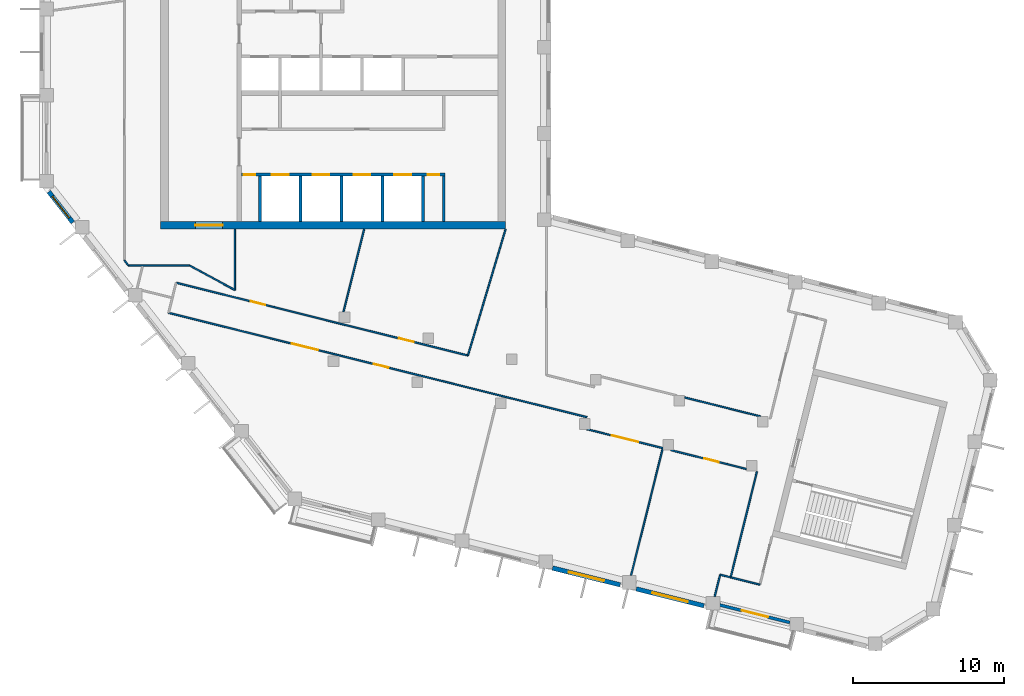
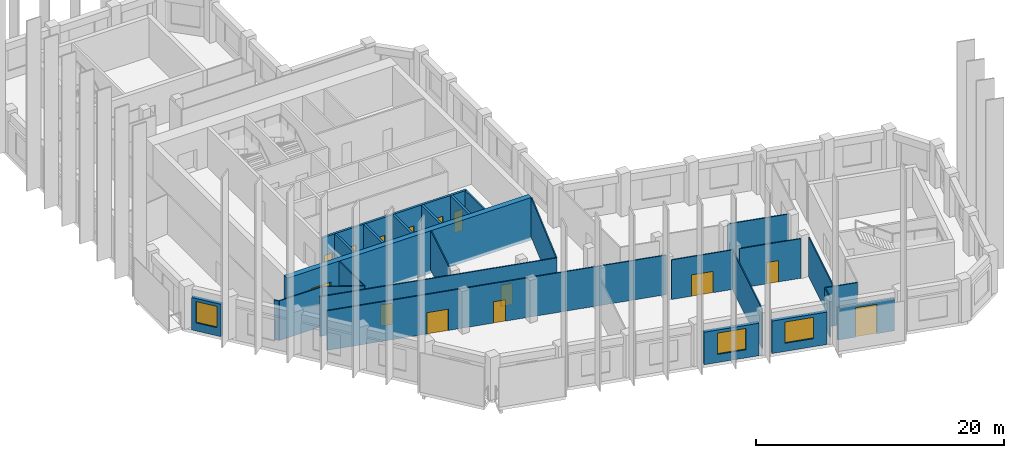
# One storey, part 3 of 8: 28 walls, 14 doors, 3 windows, 17 openings.
"""IFC4 building model written with IfcOpenShell, lengths in metres."""

from ifc_helpers import new_model, si_unit, direction, frame, frame_2d, origin, place, context, subcontext, project, spatial, rectangle, extrude, material, layer, layer_set, type_object, element, fill, save


model = new_model("IFC4")

# Units and contexts
model_context = context("Model", 3, precision=1e-05, world=origin(), true_north=direction((0.0, 1.0)))
body_context = subcontext(model_context, "Body", "Model", "MODEL_VIEW")
ifc_project = project(units=[si_unit("LENGTHUNIT", "METRE"), si_unit("AREAUNIT", "SQUARE_METRE"), si_unit("VOLUMEUNIT", "CUBIC_METRE"), si_unit("PLANEANGLEUNIT", "RADIAN"), si_unit("MASSUNIT", "GRAM", prefix="KILO")], contexts=[model_context])

# Site, building, storey
site_placement = place(None, origin())
site = spatial("IfcSite", under=ifc_project, at=site_placement, CompositionType="ELEMENT")
building_placement = place(site_placement, origin())
building = spatial("IfcBuilding", under=site, at=building_placement, Name="Meshkara Civic Tower", CompositionType="ELEMENT")
storey_placement = place(building_placement, frame((0.0, 0.0, 354.0)))
storey = spatial("IfcBuildingStorey", under=building, at=storey_placement, Name="L81", CompositionType="ELEMENT", Elevation=354.0)

# Wall
ifc_material_1 = material(Name="Blockwork", Category="masonry")
ifc_layer_1 = layer(ifc_material_1, 0.14990234375)
ifc_layer_set_1 = layer_set([ifc_layer_1], Name="Core partition 150")
wall_type_1 = type_object("IfcWallType", Name="Core partition 150", PredefinedType="PARTITIONING", material=ifc_layer_set_1)
wall_1_placement = place(storey_placement, frame((26.699951171875, 14.60009765625, 0.0), z_axis=(0.0, 0.0, 1.0), x_axis=(0.0, 1.0, 0.0)))
element("IfcWall", 1, at=wall_1_placement, inside=storey, type_object=wall_type_1, Name="L81-C025", PredefinedType="PARTITIONING", context=body_context, shape_type="SweptSolid", body=[
    extrude(rectangle(XDim=3.0, YDim=0.14990234375, at=frame_2d((1.5, 0.0))), origin(), (0.0, 0.0, 1.0), 3.89990234375),
])

# Wall, opening, door
ifc_material_2 = material(Name="Concrete C50", Category="concrete")
ifc_layer_2 = layer(ifc_material_2, 0.5)
ifc_layer_set_2 = layer_set([ifc_layer_2], Name="Core ring wall 500 C50")
wall_type_2 = type_object("IfcWallType", Name="Core ring wall 500 C50", PredefinedType="SHEAR", material=ifc_layer_set_2)
wall_2_placement = place(storey_placement, frame((8.0, 14.35009765625, -0.300048828125), z_axis=(0.0, 0.0, 1.0), x_axis=(1.0, 0.0, 0.0)))
wall_2 = element("IfcWall", 2, at=wall_2_placement, inside=storey, type_object=wall_type_2, Name="L81-C001", PredefinedType="SHEAR", context=body_context, shape_type="SweptSolid", body=[
    extrude(rectangle(XDim=22.800048828125, YDim=0.5, at=frame_2d((11.39990234375, 0.0))), origin(), (0.0, 0.0, 1.0), 4.199951171875),
])
opening_1_placement = place(wall_2_placement, frame((2.300048828125, 0.0, 0.300048828125)))
opening_1 = element("IfcOpeningElement", 3, at=opening_1_placement, cuts=wall_2, Name="Opening L81-K023", PredefinedType="OPENING", context=body_context, shape_type="SweptSolid", body=[
    extrude(rectangle(XDim=1.800048828125, YDim=2.10009765625, at=frame_2d((0.89990234375, 1.050048828125))), frame((0.0, 0.260009765625, 0.0), z_axis=(0.0, -1.0, 0.0), x_axis=(1.0, 0.0, 0.0)), (0.0, 0.0, 1.0), 0.52001953125),
])
ifc_material_3 = material(Name="Fire-rated door leaf in steel frame", Category="steel")
door_type_1 = type_object("IfcDoorType", Name="Core double door 1800 EI 60", OperationType="DOUBLE_DOOR_SINGLE_SWING", PredefinedType="DOOR", material=ifc_material_3)
door_1_placement = place(opening_1_placement, origin())
door_1 = element("IfcDoor", 4, at=door_1_placement, inside=storey, type_object=door_type_1, Name="L81-K023", OperationType="DOUBLE_DOOR_SINGLE_SWING", OverallHeight=2.10009765625, OverallWidth=1.800048828125, PredefinedType="DOOR", context=body_context, shape_type="SweptSolid", body=[
    extrude(rectangle(XDim=1.800048828125, YDim=2.10009765625, at=frame_2d((0.89990234375, 1.050048828125))), frame((0.0, 0.02490234375, 0.0), z_axis=(0.0, -1.0, 0.0), x_axis=(1.0, 0.0, 0.0)), (0.0, 0.0, 1.0), 0.050048828125),
])
fill(opening_1, door_1)

# Walls
ifc_material_4 = material(Name="Corridor wall 100")
ifc_layer_3 = layer(ifc_material_4, 0.10009765625)
ifc_layer_set_3 = layer_set([ifc_layer_3], Name="Corridor wall 100")
wall_type_3 = type_object("IfcWallType", Name="Corridor wall 100", PredefinedType="PARTITIONING", material=ifc_layer_set_3)
wall_3_placement = place(storey_placement, frame((5.60009765625, 12.0439453125, 0.0), z_axis=(0.0, 0.0, 1.0), x_axis=(0.614328236968, -0.789050579661, 0.0)))
element("IfcWall", 5, at=wall_3_placement, inside=storey, type_object=wall_type_3, Name="L81-W003", PredefinedType="PARTITIONING", context=body_context, shape_type="SweptSolid", body=[
    extrude(rectangle(XDim=0.43603515625, YDim=0.10009765625, at=frame_2d((0.218017578125, 0.0))), origin(), (0.0, 0.0, 1.0), 3.89990234375),
])
wall_4_placement = place(storey_placement, frame((5.867919921875, 11.699951171875, 0.0), z_axis=(0.0, 0.0, 1.0), x_axis=(1.0, 0.0, 0.0)))
element("IfcWall", 6, at=wall_4_placement, inside=storey, type_object=wall_type_3, Name="L81-W006", PredefinedType="PARTITIONING", context=body_context, shape_type="SweptSolid", body=[
    extrude(rectangle(XDim=4.031982421875, YDim=0.10009765625, at=frame_2d((2.01611328125, 0.0))), origin(), (0.0, 0.0, 1.0), 3.89990234375),
])

# Wall, openings, doors
wall_5_placement = place(storey_placement, frame((8.52099609375, 8.56689453125, 0.0), z_axis=(0.0, 0.0, 1.0), x_axis=(0.970303035129, -0.241892579506, 0.0)))
wall_5 = element("IfcWall", 7, at=wall_5_placement, inside=storey, type_object=wall_type_3, Name="L81-W007", PredefinedType="PARTITIONING", context=body_context, shape_type="SweptSolid", body=[
    extrude(rectangle(XDim=28.49951171875, YDim=0.10009765625, at=frame_2d((14.249755859375, 0.0))), origin(), (0.0, 0.0, 1.0), 3.89990234375),
])
opening_2_placement = place(wall_5_placement, frame((13.97998046875, 0.0, 0.0)))
opening_2 = element("IfcOpeningElement", 8, at=opening_2_placement, cuts=wall_5, Name="Opening L81-D003", PredefinedType="OPENING", context=body_context, shape_type="SweptSolid", body=[
    extrude(rectangle(XDim=1.0, YDim=2.10009765625, at=frame_2d((0.5, 1.050048828125))), frame((0.0, 0.06005859375, 0.0), z_axis=(0.0, -1.0, 0.0), x_axis=(1.0, 0.0, 0.0)), (0.0, 0.0, 1.0), 0.1201171875),
])
opening_3_placement = place(wall_5_placement, frame((8.3798828125, 0.0, 0.0)))
opening_3 = element("IfcOpeningElement", 9, at=opening_3_placement, cuts=wall_5, Name="Opening L81-D007", PredefinedType="OPENING", context=body_context, shape_type="SweptSolid", body=[
    extrude(rectangle(XDim=1.800048828125, YDim=2.10009765625, at=frame_2d((0.89990234375, 1.050048828125))), frame((0.0, 0.06005859375, 0.0), z_axis=(0.0, -1.0, 0.0), x_axis=(1.0, 0.0, 0.0)), (0.0, 0.0, 1.0), 0.1201171875),
])
ifc_material_5 = material(Name="Door 1000 x 2100")
door_type_2 = type_object("IfcDoorType", Name="Door 1000 x 2100", OperationType="SINGLE_SWING_LEFT", PredefinedType="DOOR", material=ifc_material_5)
door_2_placement = place(opening_2_placement, origin())
door_2 = element("IfcDoor", 10, at=door_2_placement, inside=storey, type_object=door_type_2, Name="L81-D003", OperationType="SINGLE_SWING_LEFT", OverallHeight=2.10009765625, OverallWidth=1.0, PredefinedType="DOOR", context=body_context, shape_type="SweptSolid", body=[
    extrude(rectangle(XDim=1.0, YDim=2.10009765625, at=frame_2d((0.5, 1.050048828125))), frame((0.0, 0.02490234375, 0.0), z_axis=(0.0, -1.0, 0.0), x_axis=(1.0, 0.0, 0.0)), (0.0, 0.0, 1.0), 0.050048828125),
])
fill(opening_2, door_2)
ifc_material_6 = material(Name="Door pair 1800 x 2100")
door_type_3 = type_object("IfcDoorType", Name="Door pair 1800 x 2100", OperationType="SINGLE_SWING_LEFT", PredefinedType="DOOR", material=ifc_material_6)
door_3_placement = place(opening_3_placement, origin())
door_3 = element("IfcDoor", 11, at=door_3_placement, inside=storey, type_object=door_type_3, Name="L81-D007", OperationType="DOUBLE_DOOR_SINGLE_SWING", OverallHeight=2.10009765625, OverallWidth=1.800048828125, PredefinedType="DOOR", context=body_context, shape_type="SweptSolid", body=[
    extrude(rectangle(XDim=1.800048828125, YDim=2.10009765625, at=frame_2d((0.89990234375, 1.050048828125))), frame((0.0, 0.02490234375, 0.0), z_axis=(0.0, -1.0, 0.0), x_axis=(1.0, 0.0, 0.0)), (0.0, 0.0, 1.0), 0.050048828125),
])
fill(opening_3, door_3)

wall_6_placement = place(storey_placement, frame((9.01708984375, 10.55810546875, 0.0), z_axis=(0.0, 0.0, 1.0), x_axis=(0.970286089829, -0.241960542, 0.0)))
wall_6 = element("IfcWall", 12, at=wall_6_placement, inside=storey, type_object=wall_type_3, Name="L81-W008", PredefinedType="PARTITIONING", context=body_context, shape_type="SweptSolid", body=[
    extrude(rectangle(XDim=19.87939453125, YDim=0.10009765625, at=frame_2d((9.939697265625, 0.0))), origin(), (0.0, 0.0, 1.0), 3.89990234375),
])
opening_4_placement = place(wall_6_placement, frame((5.080078125, 0.0, 0.0)))
opening_4 = element("IfcOpeningElement", 13, at=opening_4_placement, cuts=wall_6, Name="Opening L81-D006", PredefinedType="OPENING", context=body_context, shape_type="SweptSolid", body=[
    extrude(rectangle(XDim=1.0, YDim=2.10009765625, at=frame_2d((0.5, 1.050048828125))), frame((0.0, 0.06005859375, 0.0), z_axis=(0.0, -1.0, 0.0), x_axis=(1.0, 0.0, 0.0)), (0.0, 0.0, 1.0), 0.1201171875),
])
opening_5_placement = place(wall_6_placement, frame((15.18408203125, 0.0, 0.0)))
opening_5 = element("IfcOpeningElement", 14, at=opening_5_placement, cuts=wall_6, Name="Opening L81-D008", PredefinedType="OPENING", context=body_context, shape_type="SweptSolid", body=[
    extrude(rectangle(XDim=1.0, YDim=2.10009765625, at=frame_2d((0.5, 1.050048828125))), frame((0.0, 0.06005859375, 0.0), z_axis=(0.0, -1.0, 0.0), x_axis=(1.0, 0.0, 0.0)), (0.0, 0.0, 1.0), 0.1201171875),
])
door_4_placement = place(opening_4_placement, origin())
door_4 = element("IfcDoor", 15, at=door_4_placement, inside=storey, type_object=door_type_2, Name="L81-D006", OperationType="SINGLE_SWING_LEFT", OverallHeight=2.10009765625, OverallWidth=1.0, PredefinedType="DOOR", context=body_context, shape_type="SweptSolid", body=[
    extrude(rectangle(XDim=1.0, YDim=2.10009765625, at=frame_2d((0.5, 1.050048828125))), frame((0.0, 0.02490234375, 0.0), z_axis=(0.0, -1.0, 0.0), x_axis=(1.0, 0.0, 0.0)), (0.0, 0.0, 1.0), 0.050048828125),
])
fill(opening_4, door_4)
door_5_placement = place(opening_5_placement, origin())
door_5 = element("IfcDoor", 16, at=door_5_placement, inside=storey, type_object=door_type_2, Name="L81-D008", OperationType="SINGLE_SWING_RIGHT", OverallHeight=2.10009765625, OverallWidth=1.0, PredefinedType="DOOR", context=body_context, shape_type="SweptSolid", body=[
    extrude(rectangle(XDim=1.0, YDim=2.10009765625, at=frame_2d((0.5, 1.050048828125))), frame((0.0, 0.02490234375, 0.0), z_axis=(0.0, -1.0, 0.0), x_axis=(1.0, 0.0, 0.0)), (0.0, 0.0, 1.0), 0.050048828125),
])
fill(opening_5, door_5)

# Walls
wall_7_placement = place(storey_placement, frame((9.89990234375, 11.699951171875, 0.0), z_axis=(0.0, 0.0, 1.0), x_axis=(0.87965147249, -0.475618846291, 0.0)))
element("IfcWall", 17, at=wall_7_placement, inside=storey, type_object=wall_type_3, Name="L81-W010", PredefinedType="PARTITIONING", context=body_context, shape_type="SweptSolid", body=[
    extrude(rectangle(XDim=3.410400390625, YDim=0.10009765625, at=frame_2d((1.705078125, 0.0))), origin(), (0.0, 0.0, 1.0), 3.89990234375),
])
wall_8_placement = place(storey_placement, frame((12.89990234375, 10.077880859375, 0.0), z_axis=(0.0, 0.0, 1.0), x_axis=(0.0, 1.0, 0.0)))
element("IfcWall", 18, at=wall_8_placement, inside=storey, type_object=wall_type_3, Name="L81-W015", PredefinedType="PARTITIONING", context=body_context, shape_type="SweptSolid", body=[
    extrude(rectangle(XDim=4.022216796875, YDim=0.10009765625, at=frame_2d((2.01123046875, 0.0))), origin(), (0.0, 0.0, 1.0), 3.89990234375),
])
wall_9_placement = place(storey_placement, frame((30.800048828125, 14.10009765625, 0.0), z_axis=(0.0, 0.0, 1.0), x_axis=(-0.286139929679, -0.958187842045, 0.0)))
element("IfcWall", 19, at=wall_9_placement, inside=storey, type_object=wall_type_3, Name="L81-W018", PredefinedType="PARTITIONING", context=body_context, shape_type="SweptSolid", body=[
    extrude(rectangle(XDim=8.716552734375, YDim=0.10009765625, at=frame_2d((4.3583984375, 0.0))), origin(), (0.0, 0.0, 1.0), 3.89990234375),
])

# Wall, opening, door
wall_10_placement = place(storey_placement, frame((36.179931640625, 0.873046875, 0.0), z_axis=(0.0, 0.0, 1.0), x_axis=(0.970323094186, -0.241812102446, 0.0)))
wall_10 = element("IfcWall", 20, at=wall_10_placement, inside=storey, type_object=wall_type_3, Name="L81-W021", PredefinedType="PARTITIONING", context=body_context, shape_type="SweptSolid", body=[
    extrude(rectangle(XDim=5.1611328125, YDim=0.10009765625, at=frame_2d((2.58056640625, 0.0))), origin(), (0.0, 0.0, 1.0), 3.89990234375),
])
opening_6_placement = place(wall_10_placement, frame((1.679931640625, 0.0, 0.0)))
opening_6 = element("IfcOpeningElement", 21, at=opening_6_placement, cuts=wall_10, Name="Opening L81-D004", PredefinedType="OPENING", context=body_context, shape_type="SweptSolid", body=[
    extrude(rectangle(XDim=1.800048828125, YDim=2.10009765625, at=frame_2d((0.89990234375, 1.050048828125))), frame((0.0, 0.06005859375, 0.0), z_axis=(0.0, -1.0, 0.0), x_axis=(1.0, 0.0, 0.0)), (0.0, 0.0, 1.0), 0.1201171875),
])
door_6_placement = place(opening_6_placement, origin())
door_6 = element("IfcDoor", 22, at=door_6_placement, inside=storey, type_object=door_type_3, Name="L81-D004", OperationType="DOUBLE_DOOR_SINGLE_SWING", OverallHeight=2.10009765625, OverallWidth=1.800048828125, PredefinedType="DOOR", context=body_context, shape_type="SweptSolid", body=[
    extrude(rectangle(XDim=1.800048828125, YDim=2.10009765625, at=frame_2d((0.89990234375, 1.050048828125))), frame((0.0, 0.02490234375, 0.0), z_axis=(0.0, -1.0, 0.0), x_axis=(1.0, 0.0, 0.0)), (0.0, 0.0, 1.0), 0.050048828125),
])
fill(opening_6, door_6)

wall_11_placement = place(storey_placement, frame((41.712890625, -0.506103515625, 0.0), z_axis=(0.0, 0.0, 1.0), x_axis=(0.970303472342, -0.241890825708, 0.0)))
wall_11 = element("IfcWall", 23, at=wall_11_placement, inside=storey, type_object=wall_type_3, Name="L81-W023", PredefinedType="PARTITIONING", context=body_context, shape_type="SweptSolid", body=[
    extrude(rectangle(XDim=5.167724609375, YDim=0.10009765625, at=frame_2d((2.583984375, 0.0))), origin(), (0.0, 0.0, 1.0), 3.89990234375),
])
opening_7_placement = place(wall_11_placement, frame((2.280029296875, 0.0, 0.0)))
opening_7 = element("IfcOpeningElement", 24, at=opening_7_placement, cuts=wall_11, Name="Opening L81-D002", PredefinedType="OPENING", context=body_context, shape_type="SweptSolid", body=[
    extrude(rectangle(XDim=1.0, YDim=2.10009765625, at=frame_2d((0.5, 1.050048828125))), frame((0.0, 0.06005859375, 0.0), z_axis=(0.0, -1.0, 0.0), x_axis=(1.0, 0.0, 0.0)), (0.0, 0.0, 1.0), 0.1201171875),
])
door_7_placement = place(opening_7_placement, origin())
door_7 = element("IfcDoor", 25, at=door_7_placement, inside=storey, type_object=door_type_2, Name="L81-D002", OperationType="SINGLE_SWING_LEFT", OverallHeight=2.10009765625, OverallWidth=1.0, PredefinedType="DOOR", context=body_context, shape_type="SweptSolid", body=[
    extrude(rectangle(XDim=1.0, YDim=2.10009765625, at=frame_2d((0.5, 1.050048828125))), frame((0.0, 0.02490234375, 0.0), z_axis=(0.0, -1.0, 0.0), x_axis=(1.0, 0.0, 0.0)), (0.0, 0.0, 1.0), 0.050048828125),
])
fill(opening_7, door_7)

# Walls
wall_12_placement = place(storey_placement, frame((45.669921875, -8.9130859375, 0.0), z_axis=(0.0, 0.0, 1.0), x_axis=(0.970307382734, -0.241875139301, 0.0)))
element("IfcWall", 26, at=wall_12_placement, inside=storey, type_object=wall_type_3, Name="L81-W025", PredefinedType="PARTITIONING", context=body_context, shape_type="SweptSolid", body=[
    extrude(rectangle(XDim=2.00048828125, YDim=0.10009765625, at=frame_2d((1.000244140625, 0.0))), origin(), (0.0, 0.0, 1.0), 3.89990234375),
])
wall_13_placement = place(storey_placement, frame((47.412109375, -1.927001953125, 0.0), z_axis=(0.0, 0.0, 1.0), x_axis=(-0.241969116819, -0.970283951483, 0.0)))
element("IfcWall", 27, at=wall_13_placement, inside=storey, type_object=wall_type_3, Name="L81-W026", PredefinedType="PARTITIONING", context=body_context, shape_type="SweptSolid", body=[
    extrude(rectangle(XDim=7.199951171875, YDim=0.10009765625, at=frame_2d((3.60009765625, 0.0))), origin(), (0.0, 0.0, 1.0), 3.89990234375),
])
wall_14_placement = place(storey_placement, frame((47.64111328125, 1.72607421875, 0.0), z_axis=(0.0, 0.0, 1.0), x_axis=(-0.97031439286, 0.241847015712, 0.0)))
element("IfcWall", 28, at=wall_14_placement, inside=storey, type_object=wall_type_3, Name="L81-W028", PredefinedType="PARTITIONING", context=body_context, shape_type="SweptSolid", body=[
    extrude(rectangle(XDim=5.172607421875, YDim=0.10009765625, at=frame_2d((2.58642578125, 0.0))), origin(), (0.0, 0.0, 1.0), 3.89990234375),
])

# Wall, opening, window
ifc_material_7 = material(Name="Insulated infill panel with bronze anodised aluminium cladding", Category="aluminium")
ifc_layer_4 = layer(ifc_material_7, 0.300048828125)
ifc_layer_set_4 = layer_set([ifc_layer_4], Name="EXTERNAL INFILL WALL 300")
wall_type_4 = type_object("IfcWallType", Name="EXTERNAL INFILL WALL 300", PredefinedType="SOLIDWALL", material=ifc_layer_set_4)
wall_15_placement = place(storey_placement, frame((0.60205078125, 16.572998046875, 0.0), z_axis=(0.0, 0.0, 1.0), x_axis=(0.61568999437, -0.787988471256, 0.0)))
wall_15 = element("IfcWall", 29, at=wall_15_placement, inside=storey, type_object=wall_type_4, Name="External wall", PredefinedType="SOLIDWALL", context=body_context, shape_type="SweptSolid", body=[
    extrude(rectangle(XDim=2.577392578125, YDim=0.300048828125, at=frame_2d((1.28857421875, 0.0))), origin(), (0.0, 0.0, 1.0), 3.199951171875),
])
opening_8_placement = place(wall_15_placement, frame((0.387939453125, 0.0, 0.800048828125)))
opening_8 = element("IfcOpeningElement", 30, at=opening_8_placement, cuts=wall_15, Name="Opening W9", PredefinedType="OPENING", context=body_context, shape_type="SweptSolid", body=[
    extrude(rectangle(XDim=1.800048828125, YDim=2.10009765625, at=frame_2d((0.89990234375, 1.050048828125))), frame((0.0, 0.159912109375, 0.0), z_axis=(0.0, -1.0, 0.0), x_axis=(1.0, 0.0, 0.0)), (0.0, 0.0, 1.0), 0.320068359375),
])
ifc_material_8 = material(Name="Tinted double glazing", Category="glass")
window_type_1 = type_object("IfcWindowType", Name="WINDOW 1800x2100", PartitioningType="DOUBLE_PANEL_VERTICAL", PredefinedType="WINDOW", material=ifc_material_8)
window_1_placement = place(opening_8_placement, origin())
window_1 = element("IfcWindow", 31, at=window_1_placement, inside=storey, type_object=window_type_1, Name="Window", OverallHeight=2.10009765625, OverallWidth=1.800048828125, PartitioningType="DOUBLE_PANEL_VERTICAL", PredefinedType="WINDOW", context=body_context, shape_type="SweptSolid", body=[
    extrude(rectangle(XDim=1.800048828125, YDim=2.10009765625, at=frame_2d((0.89990234375, 1.050048828125))), frame((0.0, 0.030029296875, 0.0), z_axis=(0.0, -1.0, 0.0), x_axis=(1.0, 0.0, 0.0)), (0.0, 0.0, 1.0), 0.06005859375),
])
fill(opening_8, window_1)

wall_16_placement = place(storey_placement, frame((33.89990234375, -8.298095703125, 0.0), z_axis=(0.0, 0.0, 1.0), x_axis=(0.970298093093, -0.241912402618, 0.0)))
wall_16 = element("IfcWall", 32, at=wall_16_placement, inside=storey, type_object=wall_type_4, Name="External wall", PredefinedType="SOLIDWALL", context=body_context, shape_type="SweptSolid", body=[
    extrude(rectangle(XDim=4.609130859375, YDim=0.300048828125, at=frame_2d((2.3046875, 0.0))), origin(), (0.0, 0.0, 1.0), 3.199951171875),
])
opening_9_placement = place(wall_16_placement, frame((1.10498046875, 0.0, 0.800048828125)))
opening_9 = element("IfcOpeningElement", 33, at=opening_9_placement, cuts=wall_16, Name="Opening W7", PredefinedType="OPENING", context=body_context, shape_type="SweptSolid", body=[
    extrude(rectangle(XDim=2.39990234375, YDim=2.10009765625, at=frame_2d((1.199951171875, 1.050048828125))), frame((0.0, 0.159912109375, 0.0), z_axis=(0.0, -1.0, 0.0), x_axis=(1.0, 0.0, 0.0)), (0.0, 0.0, 1.0), 0.320068359375),
])
ifc_material_9 = material(Name="Tinted double glazing", Category="glass")
window_type_2 = type_object("IfcWindowType", Name="WINDOW 2400x2100", PartitioningType="DOUBLE_PANEL_VERTICAL", PredefinedType="WINDOW", material=ifc_material_9)
window_2_placement = place(opening_9_placement, origin())
window_2 = element("IfcWindow", 34, at=window_2_placement, inside=storey, type_object=window_type_2, Name="Window", OverallHeight=2.10009765625, OverallWidth=2.39990234375, PartitioningType="DOUBLE_PANEL_VERTICAL", PredefinedType="WINDOW", context=body_context, shape_type="SweptSolid", body=[
    extrude(rectangle(XDim=2.39990234375, YDim=2.10009765625, at=frame_2d((1.199951171875, 1.050048828125))), frame((0.0, 0.030029296875, 0.0), z_axis=(0.0, -1.0, 0.0), x_axis=(1.0, 0.0, 0.0)), (0.0, 0.0, 1.0), 0.06005859375),
])
fill(opening_9, window_2)

wall_17_placement = place(storey_placement, frame((39.430908203125, -9.677001953125, 0.0), z_axis=(0.0, 0.0, 1.0), x_axis=(0.970285689791, -0.241962146187, 0.0)))
wall_17 = element("IfcWall", 35, at=wall_17_placement, inside=storey, type_object=wall_type_4, Name="External wall", PredefinedType="SOLIDWALL", context=body_context, shape_type="SweptSolid", body=[
    extrude(rectangle(XDim=4.608154296875, YDim=0.300048828125, at=frame_2d((2.30419921875, 0.0))), origin(), (0.0, 0.0, 1.0), 3.199951171875),
])
opening_10_placement = place(wall_17_placement, frame((1.10400390625, 0.0, 0.800048828125)))
opening_10 = element("IfcOpeningElement", 36, at=opening_10_placement, cuts=wall_17, Name="Opening W7", PredefinedType="OPENING", context=body_context, shape_type="SweptSolid", body=[
    extrude(rectangle(XDim=2.39990234375, YDim=2.10009765625, at=frame_2d((1.199951171875, 1.050048828125))), frame((0.0, 0.159912109375, 0.0), z_axis=(0.0, -1.0, 0.0), x_axis=(1.0, 0.0, 0.0)), (0.0, 0.0, 1.0), 0.320068359375),
])
window_3_placement = place(opening_10_placement, origin())
window_3 = element("IfcWindow", 37, at=window_3_placement, inside=storey, type_object=window_type_2, Name="Window", OverallHeight=2.10009765625, OverallWidth=2.39990234375, PartitioningType="DOUBLE_PANEL_VERTICAL", PredefinedType="WINDOW", context=body_context, shape_type="SweptSolid", body=[
    extrude(rectangle(XDim=2.39990234375, YDim=2.10009765625, at=frame_2d((1.199951171875, 1.050048828125))), frame((0.0, 0.030029296875, 0.0), z_axis=(0.0, -1.0, 0.0), x_axis=(1.0, 0.0, 0.0)), (0.0, 0.0, 1.0), 0.06005859375),
])
fill(opening_10, window_3)

# Wall, opening, door
ifc_material_10 = material(Name="Insulated infill panel with bronze anodised aluminium cladding", Category="aluminium")
ifc_layer_5 = layer(ifc_material_10, 0.199951171875)
ifc_layer_set_5 = layer_set([ifc_layer_5], Name="LOGGIA BACK WALL 200")
wall_type_5 = type_object("IfcWallType", Name="LOGGIA BACK WALL 200", PredefinedType="SOLIDWALL", material=ifc_layer_set_5)
wall_18_placement = place(storey_placement, frame((44.9541015625, -10.7451171875, 0.0), z_axis=(0.0, 0.0, 1.0), x_axis=(0.970334783127, -0.241765193223, 0.0)))
wall_18 = element("IfcWall", 38, at=wall_18_placement, inside=storey, type_object=wall_type_5, Name="Loggia wall", PredefinedType="SOLIDWALL", context=body_context, shape_type="SweptSolid", body=[
    extrude(rectangle(XDim=4.7724609375, YDim=0.199951171875, at=frame_2d((2.38623046875, 0.0))), origin(), (0.0, 0.0, 1.0), 3.199951171875),
])
opening_11_placement = place(wall_18_placement, frame((1.486083984375, 0.0, 0.0)))
opening_11 = element("IfcOpeningElement", 39, at=opening_11_placement, cuts=wall_18, Name="Opening L81-L004", PredefinedType="OPENING", context=body_context, shape_type="SweptSolid", body=[
    extrude(rectangle(XDim=1.800048828125, YDim=2.89990234375, at=frame_2d((0.89990234375, 1.449951171875))), frame((0.0, 0.10986328125, 0.0), z_axis=(0.0, -1.0, 0.0), x_axis=(1.0, 0.0, 0.0)), (0.0, 0.0, 1.0), 0.219970703125),
])
ifc_material_11 = material(Name="Tinted double glazing", Category="glass")
door_type_4 = type_object("IfcDoorType", Name="LOGGIA DOOR 1800x2900", OperationType="DOUBLE_DOOR_SINGLE_SWING", PredefinedType="DOOR", material=ifc_material_11)
door_8_placement = place(opening_11_placement, origin())
door_8 = element("IfcDoor", 40, at=door_8_placement, inside=storey, type_object=door_type_4, Name="L81-L004", OperationType="DOUBLE_DOOR_SINGLE_SWING", OverallHeight=2.89990234375, OverallWidth=1.800048828125, PredefinedType="DOOR", context=body_context, shape_type="SweptSolid", body=[
    extrude(rectangle(XDim=1.800048828125, YDim=2.89990234375, at=frame_2d((0.89990234375, 1.449951171875))), frame((0.0, 0.02490234375, 0.0), z_axis=(0.0, -1.0, 0.0), x_axis=(1.0, 0.0, 0.0)), (0.0, 0.0, 1.0), 0.050048828125),
])
fill(opening_11, door_8)

# Walls
ifc_material_12 = material(Name="Partition 100")
ifc_layer_6 = layer(ifc_material_12, 0.10009765625)
ifc_layer_set_6 = layer_set([ifc_layer_6], Name="Partition 100")
wall_type_6 = type_object("IfcWallType", Name="Partition 100", PredefinedType="PARTITIONING", material=ifc_layer_set_6)
wall_19_placement = place(storey_placement, frame((20.0810546875, 8.62109375, 0.0), z_axis=(0.0, 0.0, 1.0), x_axis=(0.241904838353, 0.970299978966, 0.0)))
element("IfcWall", 41, at=wall_19_placement, inside=storey, type_object=wall_type_6, Name="L81-W037", PredefinedType="PARTITIONING", context=body_context, shape_type="SweptSolid", body=[
    extrude(rectangle(XDim=5.646728515625, YDim=0.10009765625, at=frame_2d((2.8232421875, 0.0))), origin(), (0.0, 0.0, 1.0), 3.89990234375),
])
wall_20_placement = place(storey_placement, frame((39.0859375, -8.803955078125, 0.0), z_axis=(0.0, 0.0, 1.0), x_axis=(0.241973508816, 0.970282856198, 0.0)))
element("IfcWall", 42, at=wall_20_placement, inside=storey, type_object=wall_type_6, Name="L81-W039", PredefinedType="PARTITIONING", context=body_context, shape_type="SweptSolid", body=[
    extrude(rectangle(XDim=8.68701171875, YDim=0.10009765625, at=frame_2d((4.343505859375, 0.0))), origin(), (0.0, 0.0, 1.0), 3.89990234375),
])
wall_21_placement = place(storey_placement, frame((44.616943359375, -10.18310546875, 0.0), z_axis=(0.0, 0.0, 1.0), x_axis=(0.242110761362, 0.970248617228, 0.0)))
element("IfcWall", 43, at=wall_21_placement, inside=storey, type_object=wall_type_6, Name="L81-W040", PredefinedType="PARTITIONING", context=body_context, shape_type="SweptSolid", body=[
    extrude(rectangle(XDim=1.4873046875, YDim=0.10009765625, at=frame_2d((0.74365234375, 0.0))), origin(), (0.0, 0.0, 1.0), 3.89990234375),
])
wall_22_placement = place(storey_placement, frame((44.97705078125, -8.739990234375, 0.0), z_axis=(0.0, 0.0, 1.0), x_axis=(0.970202439735, -0.242295740641, 0.0)))
element("IfcWall", 44, at=wall_22_placement, inside=storey, type_object=wall_type_6, Name="L81-W041", PredefinedType="PARTITIONING", context=body_context, shape_type="SweptSolid", body=[
    extrude(rectangle(XDim=0.718505859375, YDim=0.10009765625, at=frame_2d((0.359375, 0.0))), origin(), (0.0, 0.0, 1.0), 3.89990234375),
])

# Wall, openings, doors
ifc_material_13 = material(Name="Concrete C40/50", Category="concrete")
ifc_layer_7 = layer(ifc_material_13, 0.199951171875)
ifc_layer_set_7 = layer_set([ifc_layer_7], Name="Shaft wall 200 C40/50")
wall_type_7 = type_object("IfcWallType", Name="Shaft wall 200 C40/50", PredefinedType="SOLIDWALL", material=ifc_layer_set_7)
wall_23_placement = place(storey_placement, frame((13.35009765625, 17.699951171875, 0.0), z_axis=(0.0, 0.0, 1.0), x_axis=(1.0, 0.0, 0.0)))
wall_23 = element("IfcWall", 45, at=wall_23_placement, inside=storey, type_object=wall_type_7, Name="L81-C005", PredefinedType="SOLIDWALL", context=body_context, shape_type="SweptSolid", body=[
    extrude(rectangle(XDim=13.4248046875, YDim=0.199951171875, at=frame_2d((6.71240234375, 0.0))), origin(), (0.0, 0.0, 1.0), 3.89990234375),
])
opening_12_placement = place(wall_23_placement, frame((2.0, 0.0, 0.0)))
opening_12 = element("IfcOpeningElement", 46, at=opening_12_placement, cuts=wall_23, Name="Opening L81-K001", PredefinedType="OPENING", context=body_context, shape_type="SweptSolid", body=[
    extrude(rectangle(XDim=1.10009765625, YDim=2.10009765625, at=frame_2d((0.550048828125, 1.050048828125))), frame((0.0, 0.10986328125, 0.0), z_axis=(0.0, -1.0, 0.0), x_axis=(1.0, 0.0, 0.0)), (0.0, 0.0, 1.0), 0.219970703125),
])
opening_13_placement = place(wall_23_placement, frame((4.699951171875, 0.0, 0.0)))
opening_13 = element("IfcOpeningElement", 47, at=opening_13_placement, cuts=wall_23, Name="Opening L81-K002", PredefinedType="OPENING", context=body_context, shape_type="SweptSolid", body=[
    extrude(rectangle(XDim=1.10009765625, YDim=2.10009765625, at=frame_2d((0.550048828125, 1.050048828125))), frame((0.0, 0.10986328125, 0.0), z_axis=(0.0, -1.0, 0.0), x_axis=(1.0, 0.0, 0.0)), (0.0, 0.0, 1.0), 0.219970703125),
])
opening_14_placement = place(wall_23_placement, frame((7.39990234375, 0.0, 0.0)))
opening_14 = element("IfcOpeningElement", 48, at=opening_14_placement, cuts=wall_23, Name="Opening L81-K003", PredefinedType="OPENING", context=body_context, shape_type="SweptSolid", body=[
    extrude(rectangle(XDim=1.10009765625, YDim=2.10009765625, at=frame_2d((0.550048828125, 1.050048828125))), frame((0.0, 0.10986328125, 0.0), z_axis=(0.0, -1.0, 0.0), x_axis=(1.0, 0.0, 0.0)), (0.0, 0.0, 1.0), 0.219970703125),
])
opening_15_placement = place(wall_23_placement, frame((10.10009765625, 0.0, 0.0)))
opening_15 = element("IfcOpeningElement", 49, at=opening_15_placement, cuts=wall_23, Name="Opening L81-K004", PredefinedType="OPENING", context=body_context, shape_type="SweptSolid", body=[
    extrude(rectangle(XDim=1.10009765625, YDim=2.10009765625, at=frame_2d((0.550048828125, 1.050048828125))), frame((0.0, 0.10986328125, 0.0), z_axis=(0.0, -1.0, 0.0), x_axis=(1.0, 0.0, 0.0)), (0.0, 0.0, 1.0), 0.219970703125),
])
opening_16_placement = place(wall_23_placement, frame((0.14990234375, 0.0, 0.0)))
opening_16 = element("IfcOpeningElement", 50, at=opening_16_placement, cuts=wall_23, Name="Opening L81-K009", PredefinedType="OPENING", context=body_context, shape_type="SweptSolid", body=[
    extrude(rectangle(XDim=0.75, YDim=2.10009765625, at=frame_2d((0.375, 1.050048828125))), frame((0.0, 0.10986328125, 0.0), z_axis=(0.0, -1.0, 0.0), x_axis=(1.0, 0.0, 0.0)), (0.0, 0.0, 1.0), 0.219970703125),
])
opening_17_placement = place(wall_23_placement, frame((12.300048828125, 0.0, 0.0)))
opening_17 = element("IfcOpeningElement", 51, at=opening_17_placement, cuts=wall_23, Name="Opening L81-K010", PredefinedType="OPENING", context=body_context, shape_type="SweptSolid", body=[
    extrude(rectangle(XDim=0.75, YDim=2.10009765625, at=frame_2d((0.375, 1.050048828125))), frame((0.0, 0.10986328125, 0.0), z_axis=(0.0, -1.0, 0.0), x_axis=(1.0, 0.0, 0.0)), (0.0, 0.0, 1.0), 0.219970703125),
])
ifc_material_14 = material(Name="Timber door leaf in steel frame", Category="steel")
door_type_5 = type_object("IfcDoorType", Name="Core room door 750", OperationType="SINGLE_SWING_LEFT", PredefinedType="DOOR", material=ifc_material_14)
door_9_placement = place(opening_16_placement, origin())
door_9 = element("IfcDoor", 52, at=door_9_placement, inside=storey, type_object=door_type_5, Name="L81-K009", OperationType="SINGLE_SWING_RIGHT", OverallHeight=2.10009765625, OverallWidth=0.75, PredefinedType="DOOR", context=body_context, shape_type="SweptSolid", body=[
    extrude(rectangle(XDim=0.75, YDim=2.10009765625, at=frame_2d((0.375, 1.050048828125))), frame((0.0, 0.02490234375, 0.0), z_axis=(0.0, -1.0, 0.0), x_axis=(1.0, 0.0, 0.0)), (0.0, 0.0, 1.0), 0.050048828125),
])
fill(opening_16, door_9)
door_10_placement = place(opening_17_placement, origin())
door_10 = element("IfcDoor", 53, at=door_10_placement, inside=storey, type_object=door_type_5, Name="L81-K010", OperationType="SINGLE_SWING_RIGHT", OverallHeight=2.10009765625, OverallWidth=0.75, PredefinedType="DOOR", context=body_context, shape_type="SweptSolid", body=[
    extrude(rectangle(XDim=0.75, YDim=2.10009765625, at=frame_2d((0.375, 1.050048828125))), frame((0.0, 0.02490234375, 0.0), z_axis=(0.0, -1.0, 0.0), x_axis=(1.0, 0.0, 0.0)), (0.0, 0.0, 1.0), 0.050048828125),
])
fill(opening_17, door_10)
ifc_material_15 = material(Name="Stainless steel landing door", Category="steel")
door_type_6 = type_object("IfcDoorType", Name="Lift landing door 1100", OperationType="SLIDING_TO_LEFT", PredefinedType="DOOR", material=ifc_material_15)
door_11_placement = place(opening_12_placement, origin())
door_11 = element("IfcDoor", 54, at=door_11_placement, inside=storey, type_object=door_type_6, Name="L81-K001", OperationType="SLIDING_TO_LEFT", OverallHeight=2.10009765625, OverallWidth=1.10009765625, PredefinedType="DOOR", context=body_context, shape_type="SweptSolid", body=[
    extrude(rectangle(XDim=1.10009765625, YDim=2.10009765625, at=frame_2d((0.550048828125, 1.050048828125))), frame((0.0, 0.02490234375, 0.0), z_axis=(0.0, -1.0, 0.0), x_axis=(1.0, 0.0, 0.0)), (0.0, 0.0, 1.0), 0.050048828125),
])
fill(opening_12, door_11)
door_12_placement = place(opening_13_placement, origin())
door_12 = element("IfcDoor", 55, at=door_12_placement, inside=storey, type_object=door_type_6, Name="L81-K002", OperationType="SLIDING_TO_LEFT", OverallHeight=2.10009765625, OverallWidth=1.10009765625, PredefinedType="DOOR", context=body_context, shape_type="SweptSolid", body=[
    extrude(rectangle(XDim=1.10009765625, YDim=2.10009765625, at=frame_2d((0.550048828125, 1.050048828125))), frame((0.0, 0.02490234375, 0.0), z_axis=(0.0, -1.0, 0.0), x_axis=(1.0, 0.0, 0.0)), (0.0, 0.0, 1.0), 0.050048828125),
])
fill(opening_13, door_12)
door_13_placement = place(opening_14_placement, origin())
door_13 = element("IfcDoor", 56, at=door_13_placement, inside=storey, type_object=door_type_6, Name="L81-K003", OperationType="SLIDING_TO_LEFT", OverallHeight=2.10009765625, OverallWidth=1.10009765625, PredefinedType="DOOR", context=body_context, shape_type="SweptSolid", body=[
    extrude(rectangle(XDim=1.10009765625, YDim=2.10009765625, at=frame_2d((0.550048828125, 1.050048828125))), frame((0.0, 0.02490234375, 0.0), z_axis=(0.0, -1.0, 0.0), x_axis=(1.0, 0.0, 0.0)), (0.0, 0.0, 1.0), 0.050048828125),
])
fill(opening_14, door_13)
door_14_placement = place(opening_15_placement, origin())
door_14 = element("IfcDoor", 57, at=door_14_placement, inside=storey, type_object=door_type_6, Name="L81-K004", OperationType="SLIDING_TO_LEFT", OverallHeight=2.10009765625, OverallWidth=1.10009765625, PredefinedType="DOOR", context=body_context, shape_type="SweptSolid", body=[
    extrude(rectangle(XDim=1.10009765625, YDim=2.10009765625, at=frame_2d((0.550048828125, 1.050048828125))), frame((0.0, 0.02490234375, 0.0), z_axis=(0.0, -1.0, 0.0), x_axis=(1.0, 0.0, 0.0)), (0.0, 0.0, 1.0), 0.050048828125),
])
fill(opening_15, door_14)

# Walls
for number, where, z_axis, x_axis, name in (
    (58, (14.550048828125, 14.60009765625, 0.0), (0.0, 0.0, 1.0), (0.0, 1.0, 0.0), "L81-C012"),
    (59, (17.25, 14.60009765625, 0.0), (0.0, 0.0, 1.0), (0.0, 1.0, 0.0), "L81-C015"),
    (60, (19.949951171875, 14.60009765625, 0.0), (0.0, 0.0, 1.0), (0.0, 1.0, 0.0), "L81-C017"),
    (61, (22.64990234375, 14.60009765625, 0.0), (0.0, 0.0, 1.0), (0.0, 1.0, 0.0), "L81-C021"),
    (62, (25.35009765625, 14.60009765625, 0.0), (0.0, 0.0, 1.0), (0.0, 1.0, 0.0), "L81-C024"),
):
    element("IfcWall", number, at=place(storey_placement, frame(where, z_axis=z_axis, x_axis=x_axis)), inside=storey, type_object=wall_type_7, Name=name, PredefinedType="SOLIDWALL", context=body_context, shape_type="SweptSolid", body=[
        extrude(rectangle(XDim=3.0, YDim=0.199951171875, at=frame_2d((1.5, 0.0))), origin(), (0.0, 0.0, 1.0), 3.89990234375),
    ])

save(model, "model.ifc")
